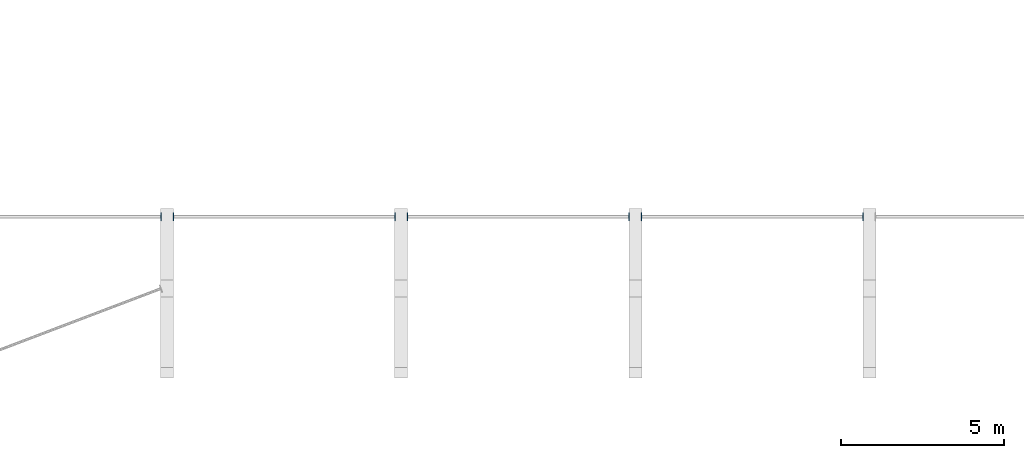
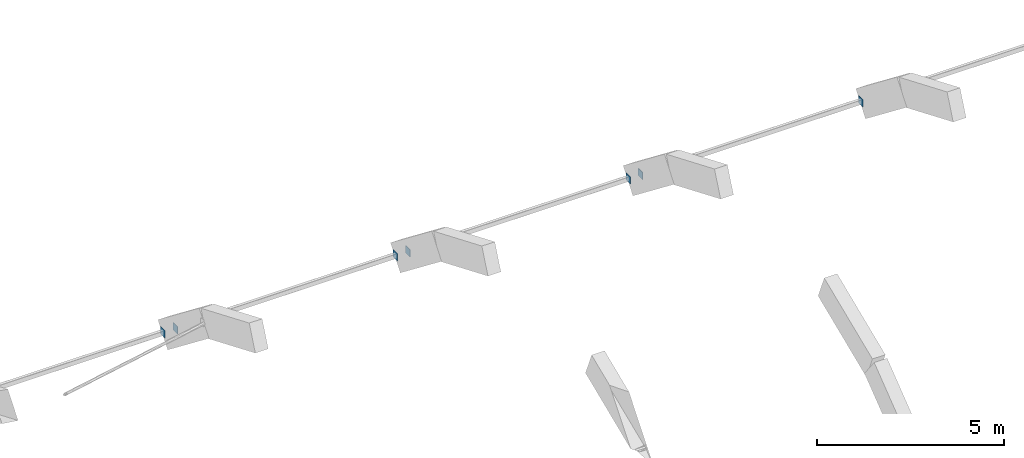
# One storey, part 28 of 64: 7 plates.
"""IFC4 building model written with IfcOpenShell, lengths in metres."""

from ifc_helpers import new_model, si_unit, direction, frame, origin, origin_2d, place, context, subcontext, project, spatial, rectangle, extrude, material, layer, layer_set, type_object, element, save


model = new_model("IFC4")

# Units and contexts
model_context = context("Model", 3, precision=1e-05, world=origin(), true_north=direction((0.0, 1.0)))
body_context = subcontext(model_context, "Body", "Model", "MODEL_VIEW")
ifc_project = project(units=[si_unit("LENGTHUNIT", "METRE"), si_unit("AREAUNIT", "SQUARE_METRE"), si_unit("VOLUMEUNIT", "CUBIC_METRE"), si_unit("PLANEANGLEUNIT", "RADIAN"), si_unit("MASSUNIT", "GRAM", prefix="KILO")], contexts=[model_context])

# Site, building, storey
site_placement = place(None, origin())
site = spatial("IfcSite", under=ifc_project, at=site_placement, CompositionType="ELEMENT")
building_placement = place(site_placement, origin())
building = spatial("IfcBuilding", under=site, at=building_placement, Name="Ochrevale Crest", CompositionType="ELEMENT")
storey_placement = place(building_placement, frame((0.0, 0.0, 8.699951171875)))
storey = spatial("IfcBuildingStorey", under=building, at=storey_placement, Name="L02", CompositionType="ELEMENT", Elevation=8.699951171875)

# Plates
ifc_material = material(Name="Steel S355", Category="steel")
ifc_layer = layer(ifc_material, 0.01611328125)
ifc_layer_set = layer_set([ifc_layer], Name="Steel S355")
plate_type = type_object("IfcPlateType", Name="PLT-CAP-16", PredefinedType="USERDEFINED", material=ifc_layer_set)
for number, where, z_axis, x_axis, name in (
    (1, (64.60791015625, 61.57373046875, 0.77294921875), (0.0, 0.0, 1.0), (1.0, 0.0, 0.0), "Vault longitudinal steel purlin B1-8 welded end cap plate CE"),
    (2, (64.991943359375, 61.57373046875, 0.77294921875), (0.0, 0.0, 1.0), (1.0, 0.0, 0.0), "Vault longitudinal steel purlin B2-8 welded end cap plate CS"),
    (3, (71.80810546875, 61.57373046875, 0.77294921875), (0.0, 0.0, 1.0), (1.0, 0.0, 0.0), "Vault longitudinal steel purlin B2-8 welded end cap plate CE"),
    (4, (72.19189453125, 61.57373046875, 0.77294921875), (0.0, 0.0, 1.0), (1.0, 0.0, 0.0), "Vault longitudinal steel purlin B3-8 welded end cap plate CS"),
    (5, (79.008056640625, 61.57373046875, 0.77294921875), (0.0, 0.0, 1.0), (1.0, 0.0, 0.0), "Vault longitudinal steel purlin B3-8 welded end cap plate CE"),
    (6, (79.39208984375, 61.57373046875, 0.77294921875), (0.0, 0.0, 1.0), (1.0, 0.0, 0.0), "Vault longitudinal steel purlin B4-8 welded end cap plate CS"),
    (7, (86.2080078125, 61.57373046875, 0.77294921875), (0.0, 0.0, 1.0), (1.0, 0.0, 0.0), "Vault longitudinal steel purlin B4-8 welded end cap plate CE"),
):
    element("IfcPlate", number, at=place(storey_placement, frame(where, z_axis=z_axis, x_axis=x_axis)), inside=storey, type_object=plate_type, Name=name, ObjectType="CAP PLATE", PredefinedType="USERDEFINED", context=body_context, shape_type="SweptSolid", body=[
        extrude(rectangle(XDim=0.01611328125, YDim=0.239990234375, at=origin_2d()), origin(), (0.0, 0.0, 1.0), 0.239990234375),
    ])

save(model, "model.ifc")
